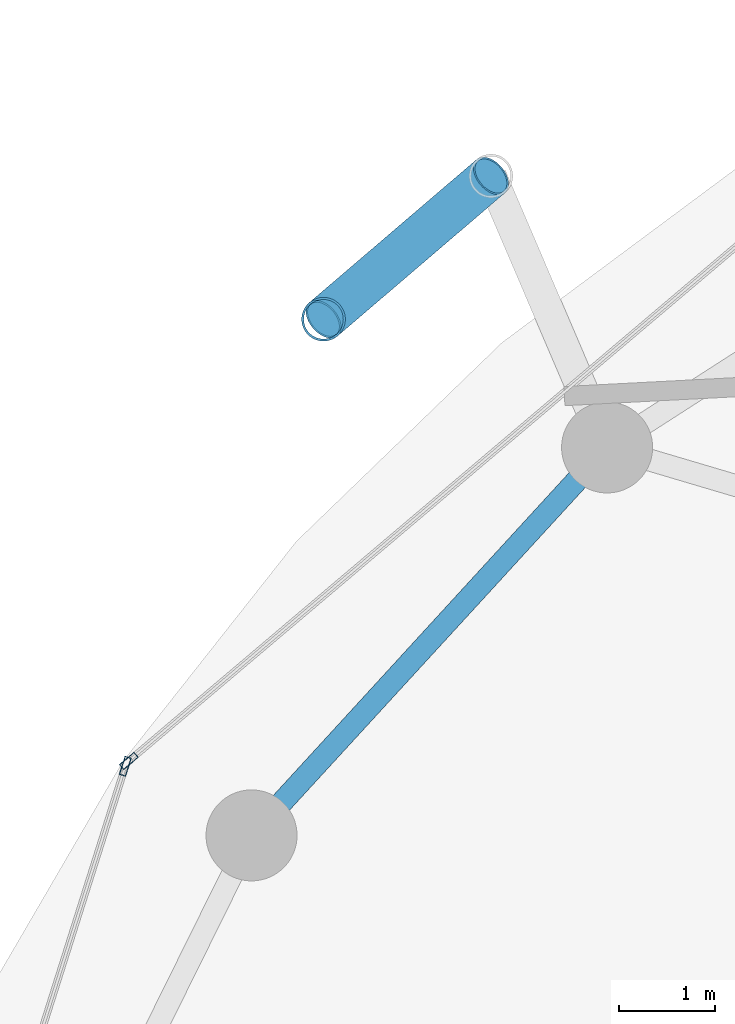
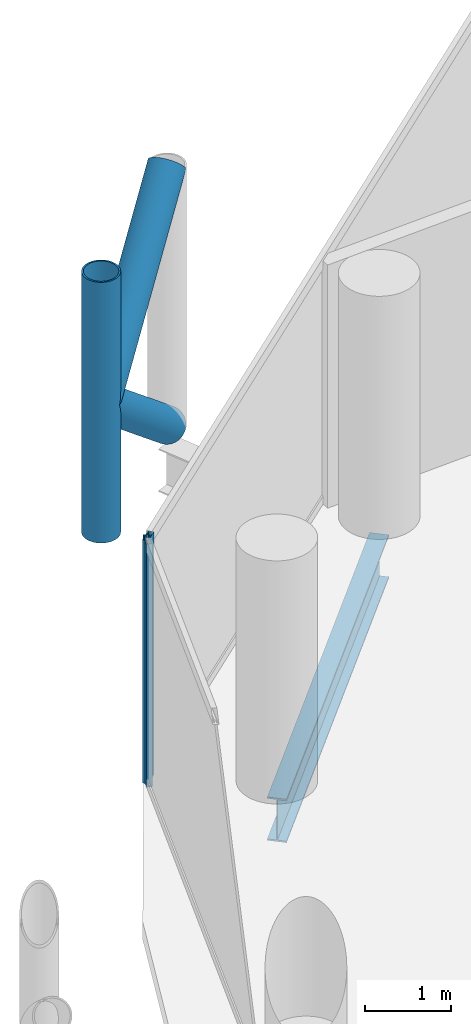
# One storey, part 13 of 26: 5 members, 1 beam, 2 elements without a shape of their own.
"""IFC4 building model written with IfcOpenShell, lengths in metres."""

from ifc_helpers import new_model, si_unit, direction, frame, origin, origin_2d, place, context, subcontext, project, spatial, hollow_rectangle, hollow_circle, i_section, extrude, material, layer, layer_set, material_profile, profile_set, type_object, element, aggregate, save


model = new_model("IFC4")

# Units and contexts
model_context = context("Model", 3, precision=1e-05, world=origin(), true_north=direction((0.0, 1.0)))
body_context = subcontext(model_context, "Body", "Model", "MODEL_VIEW")
ifc_project = project(units=[si_unit("LENGTHUNIT", "METRE"), si_unit("AREAUNIT", "SQUARE_METRE"), si_unit("VOLUMEUNIT", "CUBIC_METRE"), si_unit("PLANEANGLEUNIT", "RADIAN"), si_unit("MASSUNIT", "GRAM", prefix="KILO")], contexts=[model_context])

# Site, building, storey
site_placement = place(None, origin())
site = spatial("IfcSite", under=ifc_project, at=site_placement, CompositionType="ELEMENT")
building_placement = place(site_placement, origin())
building = spatial("IfcBuilding", under=site, at=building_placement, Name="Nuhasar Tower", CompositionType="ELEMENT")
storey_placement = place(building_placement, frame((0.0, 0.0, 188.550048828125)))
storey = spatial("IfcBuildingStorey", under=building, at=storey_placement, Name="L46", CompositionType="ELEMENT", Elevation=188.550048828125)

# Beam
ifc_material_1 = material(Name="Steel S355", Category="steel")
ifc_material_profile_1 = material_profile(ifc_material_1, i_section(OverallWidth=0.22998046875, OverallDepth=0.616943359375, WebThickness=0.01318359375, FlangeThickness=0.022216796875, at=origin_2d()), Name="W24X94")
ifc_profile_set_1 = profile_set([ifc_material_profile_1], Name="Steel S355")
beam_type = type_object("IfcBeamType", Name="BM-RING-W24X94", PredefinedType="SPANDREL", material=ifc_profile_set_1)
beam_placement = place(storey_placement, frame((22.489013671875, 40.6240234375, -0.55810546875), z_axis=(-0.675654174897, -0.737218716491, 0.0), x_axis=(0.737218716491, -0.675654174897, 0.0)))
element("IfcBeam", 1, at=beam_placement, inside=storey, type_object=beam_type, Name="L46 Perimeter Ring Spandrel 10", PredefinedType="SPANDREL", context=body_context, shape_type="SweptSolid", body=[
    extrude(i_section(OverallWidth=0.22998046875, OverallDepth=0.616943359375, WebThickness=0.01318359375, FlangeThickness=0.022216796875, at=origin_2d()), origin(), (0.0, 0.0, 1.0), 5.492431640625),
])

# Curtain wall, member
ifc_material_2 = material(Name="Aluminium 6063-T6", Category="aluminium")
ifc_layer = layer(ifc_material_2, 0.199951171875)
ifc_layer_set = layer_set([ifc_layer], Name="Aluminium 6063-T6")
curtain_wall_type = type_object("IfcCurtainWallType", Name="CW-Z2-HTL", PredefinedType="NOTDEFINED", material=ifc_layer_set)
curtain_wall_1_placement = place(storey_placement, origin())
curtain_wall_1 = element("IfcCurtainWall", 2, at=curtain_wall_1_placement, inside=storey, type_object=curtain_wall_type, Name="L46 Unitised Curtain Wall 05", PredefinedType="NOTDEFINED")
ifc_material_profile_2 = material_profile(ifc_material_2, hollow_rectangle(XDim=0.070068359375, YDim=0.199951171875, WallThickness=0.0048828125, at=origin_2d()), Name="CWM-3")
ifc_profile_set_2 = profile_set([ifc_material_profile_2], Name="Aluminium 6063-T6")
member_type_1 = type_object("IfcMemberType", Name="CW-MUL-S3", PredefinedType="MULLION", material=ifc_profile_set_2)
member_1_placement = place(storey_placement, frame((17.497802734375, 37.3525390625, 0.0), z_axis=(0.0, 0.0, 1.0), x_axis=(0.646374438324, -0.763020370292, 0.0)))
member_1 = element("IfcMember", 3, at=member_1_placement, type_object=member_type_1, Name="CW-Z2 mullion 2", PredefinedType="MULLION", context=body_context, shape_type="SweptSolid", body=[
    extrude(hollow_rectangle(XDim=0.070068359375, YDim=0.199951171875, WallThickness=0.0048828125, at=origin_2d()), origin(), (0.0, 0.0, 1.0), 3.449951171875),
])
aggregate(curtain_wall_1, [member_1])

curtain_wall_2_placement = place(storey_placement, origin())
curtain_wall_2 = element("IfcCurtainWall", 4, at=curtain_wall_2_placement, inside=storey, type_object=curtain_wall_type, Name="L46 Unitised Curtain Wall 06", PredefinedType="NOTDEFINED")
member_2_placement = place(storey_placement, frame((17.46044921875, 37.296630859375, 0.0), z_axis=(0.0, 0.0, 1.0), x_axis=(0.953433389233, -0.301603667577, 0.0)))
member_2 = element("IfcMember", 5, at=member_2_placement, type_object=member_type_1, Name="CW-Z2 mullion 1", PredefinedType="MULLION", context=body_context, shape_type="SweptSolid", body=[
    extrude(hollow_rectangle(XDim=0.070068359375, YDim=0.199951171875, WallThickness=0.0048828125, at=origin_2d()), origin(), (0.0, 0.0, 1.0), 3.449951171875),
])
aggregate(curtain_wall_2, [member_2])

# Members
ifc_material_3 = material(Name="Steel S460", Category="steel")
ifc_material_profile_3 = material_profile(ifc_material_3, hollow_circle(Radius=0.228515625, WallThickness=0.022216796875, at=origin_2d()), Name="HSS457X22.2")
ifc_profile_set_3 = profile_set([ifc_material_profile_3], Name="Steel S460")
member_type_2 = type_object("IfcMemberType", Name="EXO-BRONZE-457", PredefinedType="BRACE", material=ifc_profile_set_3)
member_3_placement = place(storey_placement, frame((19.529052734375, 41.9619140625, 0.0), z_axis=(0.0, 0.0, 1.0), x_axis=(1.0, 0.0, 0.0)))
element("IfcMember", 6, at=member_3_placement, inside=storey, type_object=member_type_2, Name="L46 Exoskeleton Chord Column EC-05B", PredefinedType="BRACE", context=body_context, shape_type="SweptSolid", body=[
    extrude(hollow_circle(Radius=0.228515625, WallThickness=0.022216796875, at=origin_2d()), origin(), (0.0, 0.0, 1.0), 3.699951171875),
])
member_4_placement = place(storey_placement, frame((21.277099609375, 43.45703125, 0.0), z_axis=(-0.592201065785, -0.506513872468, 0.626690988192), x_axis=(0.649986859795, -0.759945446788, 0.0)))
element("IfcMember", 7, at=member_4_placement, inside=storey, type_object=member_type_2, Name="L46 Bronze Diagrid Brace W1-05", PredefinedType="BRACE", context=body_context, shape_type="SweptSolid", body=[
    extrude(hollow_circle(Radius=0.228515625, WallThickness=0.022216796875, at=origin_2d()), origin(), (0.0, 0.0, 1.0), 2.95166015625),
])
member_5_placement = place(storey_placement, frame((19.529052734375, 41.9619140625, 1.849853515625), z_axis=(0.592170370358, 0.506487618445, 0.626741210415), x_axis=(-0.649986859795, 0.759945446788, 0.0)))
element("IfcMember", 8, at=member_5_placement, inside=storey, type_object=member_type_2, Name="L46 Bronze Diagrid Brace W2-05", PredefinedType="BRACE", context=body_context, shape_type="SweptSolid", body=[
    extrude(hollow_circle(Radius=0.228515625, WallThickness=0.022216796875, at=origin_2d()), origin(), (0.0, 0.0, 1.0), 2.951904296875),
])

save(model, "model.ifc")
